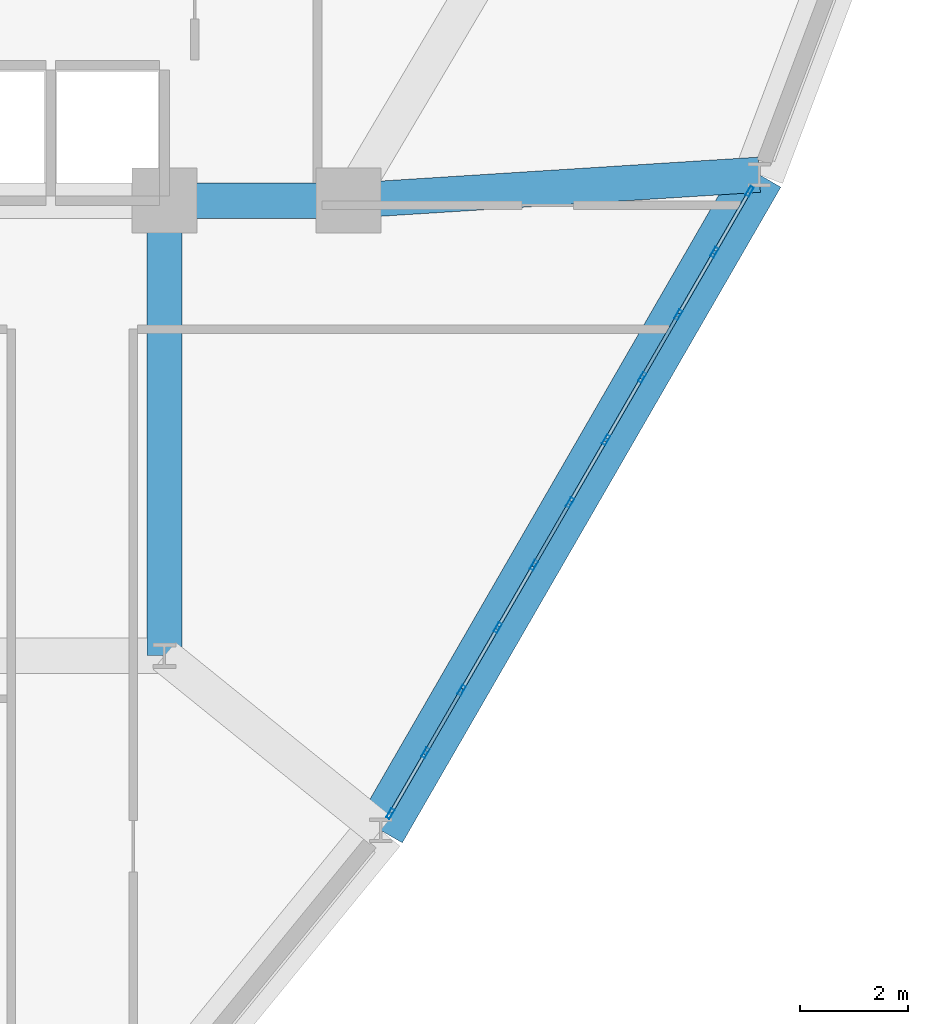
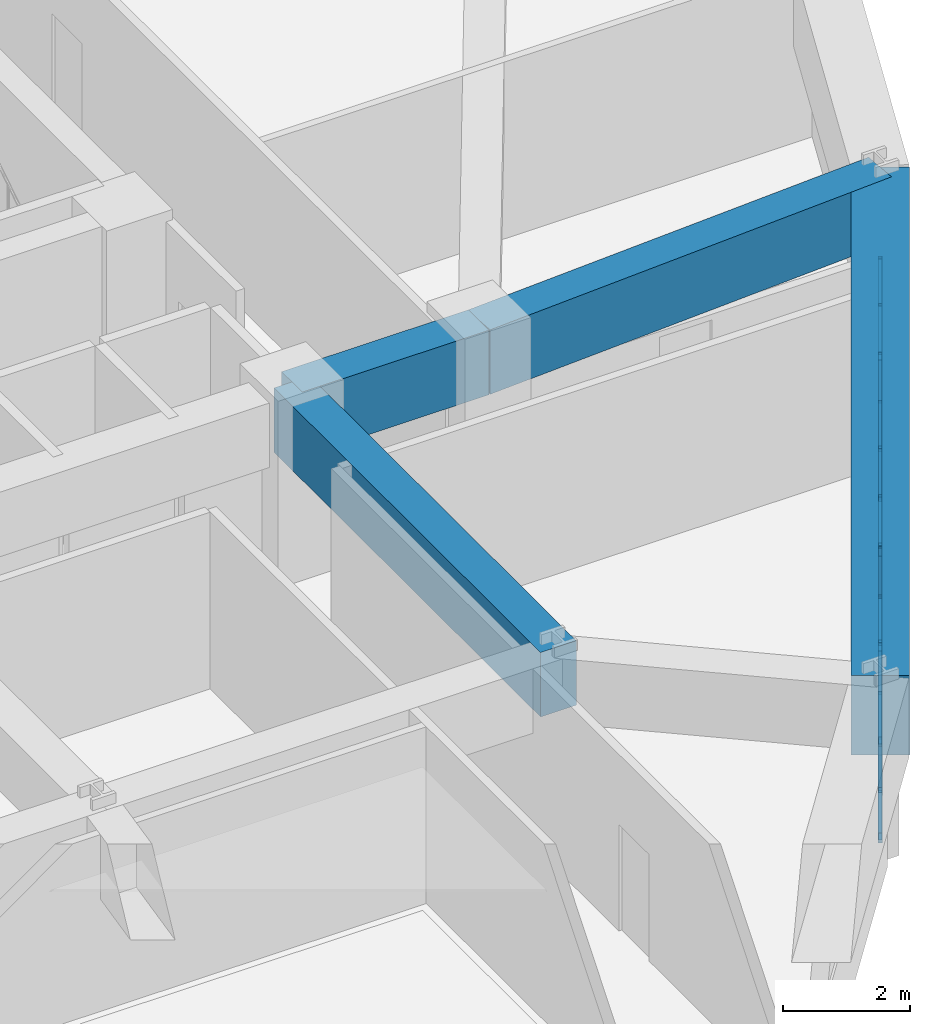
# One storey, part 6 of 15: 34 members, 4 beams, 1 element without a shape of its own.
"""IFC4 building model written with IfcOpenShell, lengths in metres."""

from ifc_helpers import new_model, si_unit, derived_unit, direction, frame, origin, origin_2d, place, context, subcontext, project, spatial, rectangle, hollow_rectangle, extrude, source, transform, mapped, material, layer, layer_set, material_profile, profile_set, type_object, element, aggregate, save


model = new_model("IFC4")

# Units and contexts
model_context = context("Model", 3, precision=1e-05, world=origin(), true_north=direction((0.0, 1.0)))
body_context = subcontext(model_context, "Body", "Model", "MODEL_VIEW")
ifc_project = project(units=[si_unit("LENGTHUNIT", "METRE"), si_unit("AREAUNIT", "SQUARE_METRE"), si_unit("VOLUMEUNIT", "CUBIC_METRE"), si_unit("PLANEANGLEUNIT", "RADIAN"), si_unit("MASSUNIT", "GRAM", prefix="KILO"), derived_unit("THERMALTRANSMITTANCEUNIT", [(si_unit("POWERUNIT", "WATT"), 1), (si_unit("LENGTHUNIT", "METRE"), -2), (si_unit("THERMODYNAMICTEMPERATUREUNIT", "KELVIN"), -1)])], contexts=[model_context])

# Site, building, storey
site_placement = place(None, origin())
site = spatial("IfcSite", under=ifc_project, at=site_placement, CompositionType="ELEMENT")
building_placement = place(site_placement, origin())
building = spatial("IfcBuilding", under=site, at=building_placement, Name="Korsvarv Bourse and Concert Hall", CompositionType="ELEMENT")
storey_placement = place(building_placement, frame((0.0, 0.0, 109.800048828125)))
storey = spatial("IfcBuildingStorey", under=building, at=storey_placement, Name="L27", CompositionType="ELEMENT", Elevation=109.800048828125)

# Beams
ifc_material_1 = material(Name="Concrete C50/60", Category="concrete")
ifc_material_profile_1 = material_profile(ifc_material_1, rectangle(XDim=0.64990234375, YDim=1.239990234375, at=origin_2d()), Name="RC-BM 650x1240")
ifc_profile_set_1 = profile_set([ifc_material_profile_1], Name="Concrete C50/60")
beam_type_1 = type_object("IfcBeamType", Name="BM-TR-SPN", PredefinedType="BEAM", material=ifc_profile_set_1)
shared_shape_1 = source(origin(), body_context, "Body", "SweptSolid", [
    extrude(rectangle(XDim=0.64990234375, YDim=1.239990234375, at=origin_2d()), origin(), (0.0, 0.0, 1.0), 3.400146484375),
])
beam_1_placement = place(storey_placement, frame((44.39990234375, 32.39990234375, 2.780029296875), z_axis=(1.0, 0.0, 0.0), x_axis=(0.0, 1.0, 0.0)))
element("IfcBeam", 1, at=beam_1_placement, inside=storey, type_object=beam_type_1, Name="L27 beam B-TRS", PredefinedType="BEAM", context=body_context, shape_type="MappedRepresentation", body=[
    mapped(shared_shape_1, transform((0.0, 0.0, 0.0), scale=1.0)),
])
shared_shape_2 = source(origin(), body_context, "Body", "SweptSolid", [
    extrude(rectangle(XDim=0.64990234375, YDim=1.239990234375, at=origin_2d()), origin(), (0.0, 0.0, 1.0), 8.39990234375),
])
beam_2_placement = place(storey_placement, frame((44.39990234375, 24.0, 2.780029296875), z_axis=(0.0, 1.0, 0.0), x_axis=(-1.0, 0.0, 0.0)))
element("IfcBeam", 2, at=beam_2_placement, inside=storey, type_object=beam_type_1, Name="L27 beam B-TRS", PredefinedType="BEAM", context=body_context, shape_type="MappedRepresentation", body=[
    mapped(shared_shape_2, transform((0.0, 0.0, 0.0), scale=1.0)),
])
ifc_material_profile_2 = material_profile(ifc_material_1, rectangle(XDim=0.919921875, YDim=1.530029296875, at=origin_2d()), Name="RC-BM 920x1530")
ifc_profile_set_2 = profile_set([ifc_material_profile_2], Name="Concrete C50/60")
beam_type_2 = type_object("IfcBeamType", Name="BM-TR-154", PredefinedType="BEAM", material=ifc_profile_set_2)
shared_shape_3 = source(origin(), body_context, "Body", "SweptSolid", [
    extrude(rectangle(XDim=0.919921875, YDim=1.530029296875, at=origin_2d()), origin(), (0.0, 0.0, 1.0), 13.97607421875),
])
beam_3_placement = place(storey_placement, frame((48.392822265625, 20.77587890625, 2.635009765625), z_axis=(0.500003708422, 0.866023262716, 0.0), x_axis=(-0.866023262716, 0.500003708422, 0.0)))
element("IfcBeam", 3, at=beam_3_placement, inside=storey, type_object=beam_type_2, Name="L27 beam B-TR6", PredefinedType="BEAM", context=body_context, shape_type="MappedRepresentation", body=[
    mapped(shared_shape_3, transform((0.0, 0.0, 0.0), scale=1.0)),
])
shared_shape_4 = source(origin(), body_context, "Body", "SweptSolid", [
    extrude(rectangle(XDim=0.64990234375, YDim=1.239990234375, at=origin_2d()), origin(), (0.0, 0.0, 1.0), 7.595947265625),
])
beam_4_placement = place(storey_placement, frame((55.380859375, 32.87939453125, 2.780029296875), z_axis=(-0.998005651397, -0.063124636867, 0.0), x_axis=(0.063124636867, -0.998005651397, 0.0)))
element("IfcBeam", 4, at=beam_4_placement, inside=storey, type_object=beam_type_1, Name="L27 beam B-TRS", PredefinedType="BEAM", context=body_context, shape_type="MappedRepresentation", body=[
    mapped(shared_shape_4, transform((0.0, 0.0, 0.0), scale=1.0)),
])

# Curtain wall, members
ifc_material_2 = material(Name="Anodised aluminium and triple low-E glazing", Category="glass")
ifc_layer = layer(ifc_material_2, 0.2099609375)
ifc_layer_set = layer_set([ifc_layer], Name="Anodised aluminium and triple low-E glazing")
curtain_wall_type = type_object("IfcCurtainWallType", Name="CW-SYS-2", PredefinedType="NOTDEFINED", material=ifc_layer_set)
curtain_wall_placement = place(storey_placement, origin())
curtain_wall = element("IfcCurtainWall", 5, at=curtain_wall_placement, inside=storey, type_object=curtain_wall_type, Name="L27 CW2 curtain wall CW-L27-F11", PredefinedType="NOTDEFINED")
ifc_material_3 = material(Name="Extruded aluminium EN AW-6063 T66", Category="aluminium")
ifc_material_profile_3 = material_profile(ifc_material_3, hollow_rectangle(XDim=0.070068359375, YDim=0.18994140625, WallThickness=0.0048828125, at=origin_2d()), Name="ALU-M 70x190")
ifc_profile_set_3 = profile_set([ifc_material_profile_3], Name="Extruded aluminium EN AW-6063 T66")
member_type_1 = type_object("IfcMemberType", Name="CWM-190", PredefinedType="MULLION", material=ifc_profile_set_3)
shared_shape_5 = source(origin(), body_context, "Body", "SweptSolid", [
    extrude(hollow_rectangle(XDim=0.070068359375, YDim=0.18994140625, WallThickness=0.0048828125, at=origin_2d()), origin(), (0.0, 0.0, 1.0), 1.869873046875),
])
member_1_placement = place(storey_placement, frame((48.570556640625, 21.083740234375, 0.0), z_axis=(0.0, 0.0, 1.0), x_axis=(-0.866021744853, 0.500006337402, 0.0)))
member_1 = element("IfcMember", 6, at=member_1_placement, type_object=member_type_1, Name="CW2 mullion 1", PredefinedType="MULLION", context=body_context, shape_type="MappedRepresentation", body=[
    mapped(shared_shape_5, transform((0.0, 0.0, 0.0), scale=1.0)),
])
member_2_placement = place(storey_placement, frame((49.2197265625, 22.208251953125, 0.0), z_axis=(0.0, 0.0, 1.0), x_axis=(-0.866021744853, 0.500006337402, 0.0)))
member_2 = element("IfcMember", 7, at=member_2_placement, type_object=member_type_1, Name="CW2 mullion 2", PredefinedType="MULLION", context=body_context, shape_type="MappedRepresentation", body=[
    mapped(shared_shape_5, transform((0.0, 0.0, 0.0), scale=1.0)),
])
member_3_placement = place(storey_placement, frame((49.886474609375, 23.363037109375, 0.0), z_axis=(0.0, 0.0, 1.0), x_axis=(-0.866021744853, 0.500006337402, 0.0)))
member_3 = element("IfcMember", 8, at=member_3_placement, type_object=member_type_1, Name="CW2 mullion 3", PredefinedType="MULLION", context=body_context, shape_type="MappedRepresentation", body=[
    mapped(shared_shape_5, transform((0.0, 0.0, 0.0), scale=1.0)),
])
member_4_placement = place(storey_placement, frame((50.55322265625, 24.51806640625, 0.0), z_axis=(0.0, 0.0, 1.0), x_axis=(-0.866021744853, 0.500006337402, 0.0)))
member_4 = element("IfcMember", 9, at=member_4_placement, type_object=member_type_1, Name="CW2 mullion 4", PredefinedType="MULLION", context=body_context, shape_type="MappedRepresentation", body=[
    mapped(shared_shape_5, transform((0.0, 0.0, 0.0), scale=1.0)),
])
member_5_placement = place(storey_placement, frame((51.219970703125, 25.6728515625, 0.0), z_axis=(0.0, 0.0, 1.0), x_axis=(-0.866021744853, 0.500006337402, 0.0)))
member_5 = element("IfcMember", 10, at=member_5_placement, type_object=member_type_1, Name="CW2 mullion 5", PredefinedType="MULLION", context=body_context, shape_type="MappedRepresentation", body=[
    mapped(shared_shape_5, transform((0.0, 0.0, 0.0), scale=1.0)),
])
member_6_placement = place(storey_placement, frame((51.886962890625, 26.82763671875, 0.0), z_axis=(0.0, 0.0, 1.0), x_axis=(-0.866021744853, 0.500006337402, 0.0)))
member_6 = element("IfcMember", 11, at=member_6_placement, type_object=member_type_1, Name="CW2 mullion 6", PredefinedType="MULLION", context=body_context, shape_type="MappedRepresentation", body=[
    mapped(shared_shape_5, transform((0.0, 0.0, 0.0), scale=1.0)),
])
member_7_placement = place(storey_placement, frame((52.5537109375, 27.982666015625, 0.0), z_axis=(0.0, 0.0, 1.0), x_axis=(-0.866021744853, 0.500006337402, 0.0)))
member_7 = element("IfcMember", 12, at=member_7_placement, type_object=member_type_1, Name="CW2 mullion 7", PredefinedType="MULLION", context=body_context, shape_type="MappedRepresentation", body=[
    mapped(shared_shape_5, transform((0.0, 0.0, 0.0), scale=1.0)),
])
member_8_placement = place(storey_placement, frame((53.220458984375, 29.137451171875, 0.0), z_axis=(0.0, 0.0, 1.0), x_axis=(-0.866021744853, 0.500006337402, 0.0)))
member_8 = element("IfcMember", 13, at=member_8_placement, type_object=member_type_1, Name="CW2 mullion 8", PredefinedType="MULLION", context=body_context, shape_type="MappedRepresentation", body=[
    mapped(shared_shape_5, transform((0.0, 0.0, 0.0), scale=1.0)),
])
member_9_placement = place(storey_placement, frame((53.88720703125, 30.292236328125, 0.0), z_axis=(0.0, 0.0, 1.0), x_axis=(-0.866021744853, 0.500006337402, 0.0)))
member_9 = element("IfcMember", 14, at=member_9_placement, type_object=member_type_1, Name="CW2 mullion 9", PredefinedType="MULLION", context=body_context, shape_type="MappedRepresentation", body=[
    mapped(shared_shape_5, transform((0.0, 0.0, 0.0), scale=1.0)),
])
member_10_placement = place(storey_placement, frame((54.553955078125, 31.447021484375, 0.0), z_axis=(0.0, 0.0, 1.0), x_axis=(-0.866021744853, 0.500006337402, 0.0)))
member_10 = element("IfcMember", 15, at=member_10_placement, type_object=member_type_1, Name="CW2 mullion 10", PredefinedType="MULLION", context=body_context, shape_type="MappedRepresentation", body=[
    mapped(shared_shape_5, transform((0.0, 0.0, 0.0), scale=1.0)),
])
member_11_placement = place(storey_placement, frame((55.203125, 32.57177734375, 0.0), z_axis=(0.0, 0.0, 1.0), x_axis=(-0.866021744853, 0.500006337402, 0.0)))
member_11 = element("IfcMember", 16, at=member_11_placement, type_object=member_type_1, Name="CW2 mullion 11", PredefinedType="MULLION", context=body_context, shape_type="MappedRepresentation", body=[
    mapped(shared_shape_5, transform((0.0, 0.0, 0.0), scale=1.0)),
])
ifc_material_profile_4 = material_profile(ifc_material_3, hollow_rectangle(XDim=0.06494140625, YDim=0.139892578125, WallThickness=0.00390625, at=origin_2d()), Name="ALU-T 65x140")
ifc_profile_set_4 = profile_set([ifc_material_profile_4], Name="Extruded aluminium EN AW-6063 T66")
member_type_2 = type_object("IfcMemberType", Name="CWT-140", PredefinedType="USERDEFINED", material=ifc_profile_set_4)
shared_shape_6 = source(origin(), body_context, "Body", "SweptSolid", [
    extrude(hollow_rectangle(XDim=0.06494140625, YDim=0.139892578125, WallThickness=0.00390625, at=origin_2d()), origin(), (0.0, 0.0, 1.0), 1.228271484375),
])
member_12_placement = place(storey_placement, frame((54.571533203125, 31.4775390625, 0.032470703125), z_axis=(0.500072277755, 0.865983670182, 0.0), x_axis=(-0.865983670182, 0.500072277755, 0.0)))
member_12 = element("IfcMember", 17, at=member_12_placement, type_object=member_type_2, Name="CW2 transom 10.1", ObjectType="TRANSOM", PredefinedType="USERDEFINED", context=body_context, shape_type="MappedRepresentation", body=[
    mapped(shared_shape_6, transform((0.0, 0.0, 0.0), scale=1.0)),
])
member_13_placement = place(storey_placement, frame((54.571533203125, 31.4775390625, 1.83740234375), z_axis=(0.500072277755, 0.865983670182, 0.0), x_axis=(-0.865983670182, 0.500072277755, 0.0)))
member_13 = element("IfcMember", 18, at=member_13_placement, type_object=member_type_2, Name="CW2 transom 10.2", ObjectType="TRANSOM", PredefinedType="USERDEFINED", context=body_context, shape_type="MappedRepresentation", body=[
    mapped(shared_shape_6, transform((0.0, 0.0, 0.0), scale=1.0)),
])
shared_shape_7 = source(origin(), body_context, "Body", "SweptSolid", [
    extrude(hollow_rectangle(XDim=0.06494140625, YDim=0.139892578125, WallThickness=0.00390625, at=origin_2d()), origin(), (0.0, 0.0, 1.0), 1.263671875),
])
member_14_placement = place(storey_placement, frame((49.2373046875, 22.238525390625, 0.032470703125), z_axis=(0.500045805297, 0.865998956469, 0.0), x_axis=(-0.865998956469, 0.500045805297, 0.0)))
member_14 = element("IfcMember", 19, at=member_14_placement, type_object=member_type_2, Name="CW2 transom 2.1", ObjectType="TRANSOM", PredefinedType="USERDEFINED", context=body_context, shape_type="MappedRepresentation", body=[
    mapped(shared_shape_7, transform((0.0, 0.0, 0.0), scale=1.0)),
])
member_15_placement = place(storey_placement, frame((49.2373046875, 22.238525390625, 1.83740234375), z_axis=(0.500045805297, 0.865998956469, 0.0), x_axis=(-0.865998956469, 0.500045805297, 0.0)))
member_15 = element("IfcMember", 20, at=member_15_placement, type_object=member_type_2, Name="CW2 transom 2.2", ObjectType="TRANSOM", PredefinedType="USERDEFINED", context=body_context, shape_type="MappedRepresentation", body=[
    mapped(shared_shape_7, transform((0.0, 0.0, 0.0), scale=1.0)),
])
member_16_placement = place(storey_placement, frame((49.904052734375, 23.393310546875, 0.032470703125), z_axis=(0.500045805297, 0.865998956469, 0.0), x_axis=(-0.865998956469, 0.500045805297, 0.0)))
member_16 = element("IfcMember", 21, at=member_16_placement, type_object=member_type_2, Name="CW2 transom 3.1", ObjectType="TRANSOM", PredefinedType="USERDEFINED", context=body_context, shape_type="MappedRepresentation", body=[
    mapped(shared_shape_7, transform((0.0, 0.0, 0.0), scale=1.0)),
])
member_17_placement = place(storey_placement, frame((49.904052734375, 23.393310546875, 1.83740234375), z_axis=(0.500045805297, 0.865998956469, 0.0), x_axis=(-0.865998956469, 0.500045805297, 0.0)))
member_17 = element("IfcMember", 22, at=member_17_placement, type_object=member_type_2, Name="CW2 transom 3.2", ObjectType="TRANSOM", PredefinedType="USERDEFINED", context=body_context, shape_type="MappedRepresentation", body=[
    mapped(shared_shape_7, transform((0.0, 0.0, 0.0), scale=1.0)),
])
member_18_placement = place(storey_placement, frame((50.57080078125, 24.54833984375, 0.032470703125), z_axis=(0.500045805297, 0.865998956469, 0.0), x_axis=(-0.865998956469, 0.500045805297, 0.0)))
member_18 = element("IfcMember", 23, at=member_18_placement, type_object=member_type_2, Name="CW2 transom 4.1", ObjectType="TRANSOM", PredefinedType="USERDEFINED", context=body_context, shape_type="MappedRepresentation", body=[
    mapped(shared_shape_7, transform((0.0, 0.0, 0.0), scale=1.0)),
])
member_19_placement = place(storey_placement, frame((50.57080078125, 24.54833984375, 1.83740234375), z_axis=(0.500045805297, 0.865998956469, 0.0), x_axis=(-0.865998956469, 0.500045805297, 0.0)))
member_19 = element("IfcMember", 24, at=member_19_placement, type_object=member_type_2, Name="CW2 transom 4.2", ObjectType="TRANSOM", PredefinedType="USERDEFINED", context=body_context, shape_type="MappedRepresentation", body=[
    mapped(shared_shape_7, transform((0.0, 0.0, 0.0), scale=1.0)),
])
member_20_placement = place(storey_placement, frame((51.237548828125, 25.703125, 0.032470703125), z_axis=(0.500045805297, 0.865998956469, 0.0), x_axis=(-0.865998956469, 0.500045805297, 0.0)))
member_20 = element("IfcMember", 25, at=member_20_placement, type_object=member_type_2, Name="CW2 transom 5.1", ObjectType="TRANSOM", PredefinedType="USERDEFINED", context=body_context, shape_type="MappedRepresentation", body=[
    mapped(shared_shape_7, transform((0.0, 0.0, 0.0), scale=1.0)),
])
member_21_placement = place(storey_placement, frame((51.237548828125, 25.703125, 1.83740234375), z_axis=(0.500045805297, 0.865998956469, 0.0), x_axis=(-0.865998956469, 0.500045805297, 0.0)))
member_21 = element("IfcMember", 26, at=member_21_placement, type_object=member_type_2, Name="CW2 transom 5.2", ObjectType="TRANSOM", PredefinedType="USERDEFINED", context=body_context, shape_type="MappedRepresentation", body=[
    mapped(shared_shape_7, transform((0.0, 0.0, 0.0), scale=1.0)),
])
member_22_placement = place(storey_placement, frame((51.904296875, 26.85791015625, 0.032470703125), z_axis=(0.500045805297, 0.865998956469, 0.0), x_axis=(-0.865998956469, 0.500045805297, 0.0)))
member_22 = element("IfcMember", 27, at=member_22_placement, type_object=member_type_2, Name="CW2 transom 6.1", ObjectType="TRANSOM", PredefinedType="USERDEFINED", context=body_context, shape_type="MappedRepresentation", body=[
    mapped(shared_shape_7, transform((0.0, 0.0, 0.0), scale=1.0)),
])
member_23_placement = place(storey_placement, frame((51.904296875, 26.85791015625, 1.83740234375), z_axis=(0.500045805297, 0.865998956469, 0.0), x_axis=(-0.865998956469, 0.500045805297, 0.0)))
member_23 = element("IfcMember", 28, at=member_23_placement, type_object=member_type_2, Name="CW2 transom 6.2", ObjectType="TRANSOM", PredefinedType="USERDEFINED", context=body_context, shape_type="MappedRepresentation", body=[
    mapped(shared_shape_7, transform((0.0, 0.0, 0.0), scale=1.0)),
])
member_24_placement = place(storey_placement, frame((52.571044921875, 28.012939453125, 0.032470703125), z_axis=(0.500045805297, 0.865998956469, 0.0), x_axis=(-0.865998956469, 0.500045805297, 0.0)))
member_24 = element("IfcMember", 29, at=member_24_placement, type_object=member_type_2, Name="CW2 transom 7.1", ObjectType="TRANSOM", PredefinedType="USERDEFINED", context=body_context, shape_type="MappedRepresentation", body=[
    mapped(shared_shape_7, transform((0.0, 0.0, 0.0), scale=1.0)),
])
member_25_placement = place(storey_placement, frame((52.571044921875, 28.012939453125, 1.83740234375), z_axis=(0.500045805297, 0.865998956469, 0.0), x_axis=(-0.865998956469, 0.500045805297, 0.0)))
member_25 = element("IfcMember", 30, at=member_25_placement, type_object=member_type_2, Name="CW2 transom 7.2", ObjectType="TRANSOM", PredefinedType="USERDEFINED", context=body_context, shape_type="MappedRepresentation", body=[
    mapped(shared_shape_7, transform((0.0, 0.0, 0.0), scale=1.0)),
])
member_26_placement = place(storey_placement, frame((53.23779296875, 29.167724609375, 0.032470703125), z_axis=(0.500045805297, 0.865998956469, 0.0), x_axis=(-0.865998956469, 0.500045805297, 0.0)))
member_26 = element("IfcMember", 31, at=member_26_placement, type_object=member_type_2, Name="CW2 transom 8.1", ObjectType="TRANSOM", PredefinedType="USERDEFINED", context=body_context, shape_type="MappedRepresentation", body=[
    mapped(shared_shape_7, transform((0.0, 0.0, 0.0), scale=1.0)),
])
member_27_placement = place(storey_placement, frame((53.23779296875, 29.167724609375, 1.83740234375), z_axis=(0.500045805297, 0.865998956469, 0.0), x_axis=(-0.865998956469, 0.500045805297, 0.0)))
member_27 = element("IfcMember", 32, at=member_27_placement, type_object=member_type_2, Name="CW2 transom 8.2", ObjectType="TRANSOM", PredefinedType="USERDEFINED", context=body_context, shape_type="MappedRepresentation", body=[
    mapped(shared_shape_7, transform((0.0, 0.0, 0.0), scale=1.0)),
])
member_28_placement = place(storey_placement, frame((53.904541015625, 30.322509765625, 0.032470703125), z_axis=(0.500045805297, 0.865998956469, 0.0), x_axis=(-0.865998956469, 0.500045805297, 0.0)))
member_28 = element("IfcMember", 33, at=member_28_placement, type_object=member_type_2, Name="CW2 transom 9.1", ObjectType="TRANSOM", PredefinedType="USERDEFINED", context=body_context, shape_type="MappedRepresentation", body=[
    mapped(shared_shape_7, transform((0.0, 0.0, 0.0), scale=1.0)),
])
member_29_placement = place(storey_placement, frame((53.904541015625, 30.322509765625, 1.83740234375), z_axis=(0.500045805297, 0.865998956469, 0.0), x_axis=(-0.865998956469, 0.500045805297, 0.0)))
member_29 = element("IfcMember", 34, at=member_29_placement, type_object=member_type_2, Name="CW2 transom 9.2", ObjectType="TRANSOM", PredefinedType="USERDEFINED", context=body_context, shape_type="MappedRepresentation", body=[
    mapped(shared_shape_7, transform((0.0, 0.0, 0.0), scale=1.0)),
])
ifc_material_profile_5 = material_profile(ifc_material_3, hollow_rectangle(XDim=0.06494140625, YDim=0.1650390625, WallThickness=0.0048828125, at=origin_2d()), Name="ALU-M 65x165")
ifc_profile_set_5 = profile_set([ifc_material_profile_5], Name="Extruded aluminium EN AW-6063 T66")
member_type_3 = type_object("IfcMemberType", Name="CWM-165", PredefinedType="MULLION", material=ifc_profile_set_5)
shared_shape_8 = source(origin(), body_context, "Body", "SweptSolid", [
    extrude(hollow_rectangle(XDim=0.06494140625, YDim=0.1650390625, WallThickness=0.0048828125, at=origin_2d()), origin(), (0.0, 0.0, 1.0), 2.150390625),
])
member_30_placement = place(storey_placement, frame((49.2373046875, 22.238525390625, 0.06494140625), z_axis=(0.293825059629, 0.508857773283, 0.809154250377), x_axis=(-0.865998956469, 0.500045805297, 0.0)))
member_30 = element("IfcMember", 35, at=member_30_placement, type_object=member_type_3, Name="CW2 diagonal mullion 2", PredefinedType="MULLION", context=body_context, shape_type="MappedRepresentation", body=[
    mapped(shared_shape_8, transform((0.0, 0.0, 0.0), scale=1.0)),
])
member_31_placement = place(storey_placement, frame((51.869384765625, 26.79736328125, 0.06494140625), z_axis=(-0.293825059629, -0.508857773283, 0.809154250377), x_axis=(0.865998956469, -0.500045805297, 0.0)))
member_31 = element("IfcMember", 36, at=member_31_placement, type_object=member_type_3, Name="CW2 diagonal mullion 5", PredefinedType="MULLION", context=body_context, shape_type="MappedRepresentation", body=[
    mapped(shared_shape_8, transform((0.0, 0.0, 0.0), scale=1.0)),
])
member_32_placement = place(storey_placement, frame((53.23779296875, 29.167724609375, 0.06494140625), z_axis=(0.293825059629, 0.508857773283, 0.809154250377), x_axis=(-0.865998956469, 0.500045805297, 0.0)))
member_32 = element("IfcMember", 37, at=member_32_placement, type_object=member_type_3, Name="CW2 diagonal mullion 8", PredefinedType="MULLION", context=body_context, shape_type="MappedRepresentation", body=[
    mapped(shared_shape_8, transform((0.0, 0.0, 0.0), scale=1.0)),
])
shared_shape_9 = source(origin(), body_context, "Body", "SweptSolid", [
    extrude(hollow_rectangle(XDim=0.06494140625, YDim=0.139892578125, WallThickness=0.00390625, at=origin_2d()), origin(), (0.0, 0.0, 1.0), 1.228515625),
])
member_33_placement = place(storey_placement, frame((48.587890625, 21.114013671875, 0.032470703125), z_axis=(0.499986217557, 0.866033360935, 0.0), x_axis=(-0.866033360935, 0.499986217557, 0.0)))
member_33 = element("IfcMember", 38, at=member_33_placement, type_object=member_type_2, Name="CW2 transom 1.1", ObjectType="TRANSOM", PredefinedType="USERDEFINED", context=body_context, shape_type="MappedRepresentation", body=[
    mapped(shared_shape_9, transform((0.0, 0.0, 0.0), scale=1.0)),
])
member_34_placement = place(storey_placement, frame((48.587890625, 21.114013671875, 1.83740234375), z_axis=(0.499986217557, 0.866033360935, 0.0), x_axis=(-0.866033360935, 0.499986217557, 0.0)))
member_34 = element("IfcMember", 39, at=member_34_placement, type_object=member_type_2, Name="CW2 transom 1.2", ObjectType="TRANSOM", PredefinedType="USERDEFINED", context=body_context, shape_type="MappedRepresentation", body=[
    mapped(shared_shape_9, transform((0.0, 0.0, 0.0), scale=1.0)),
])
aggregate(curtain_wall, [member_1, member_2, member_3, member_4, member_5, member_6, member_7, member_8, member_9, member_10, member_11, member_33, member_34, member_14, member_15, member_30, member_16, member_17, member_18, member_19, member_20, member_21, member_31, member_22, member_23, member_24, member_25, member_26, member_27, member_32, member_28, member_29, member_12, member_13])

save(model, "model.ifc")
